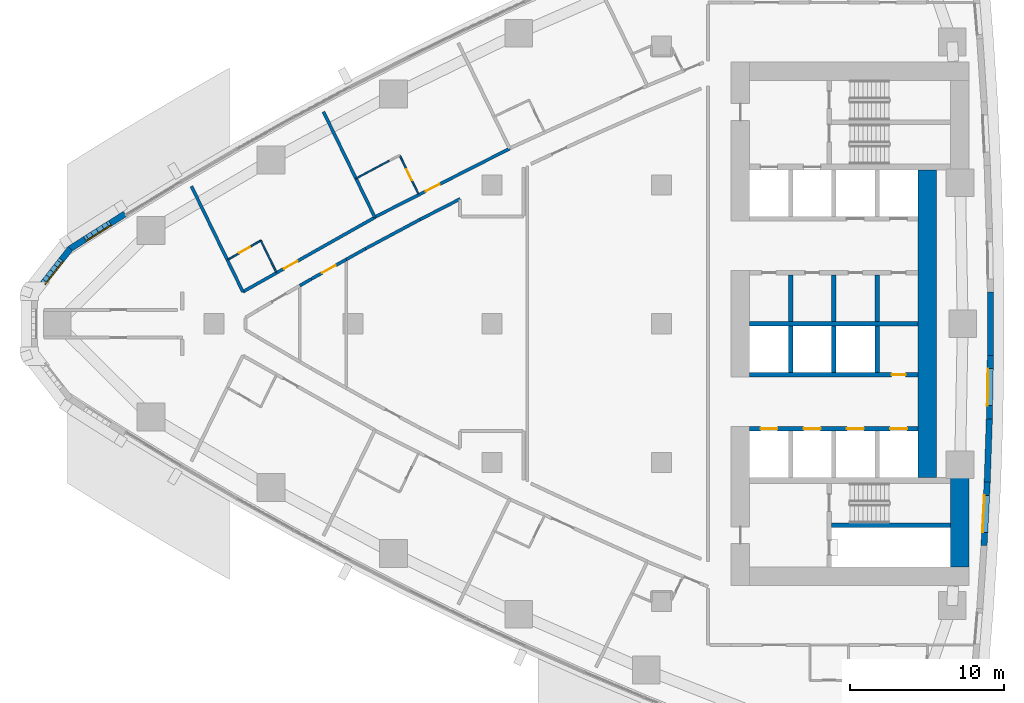
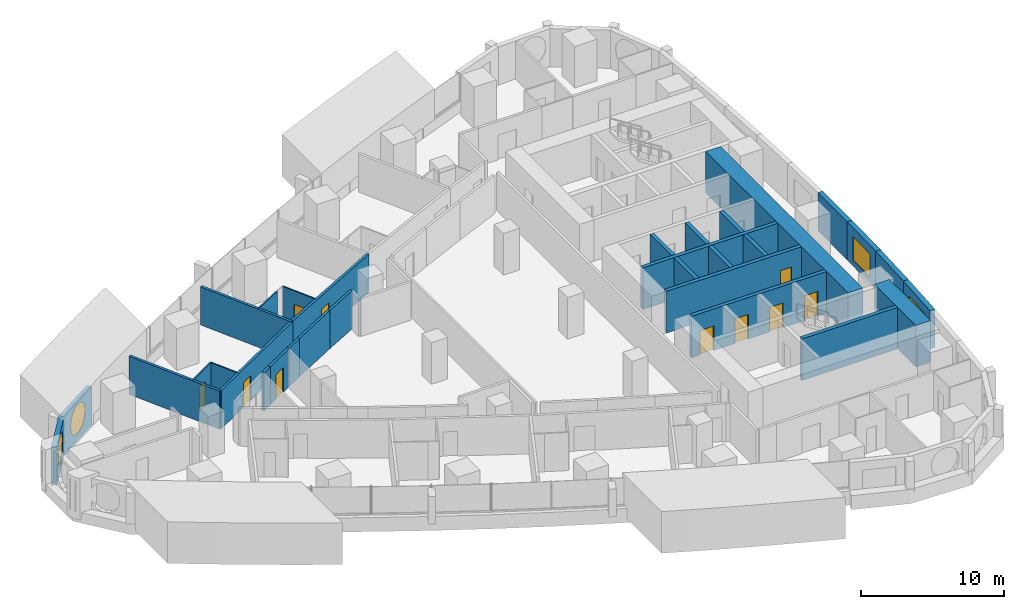
# One storey, part 11 of 19: 31 walls, 10 doors, 4 windows, 14 openings.
"""IFC4 building model written with IfcOpenShell, lengths in metres."""

from ifc_helpers import new_model, si_unit, direction, frame, frame_2d, origin, place, context, subcontext, project, spatial, polyline, rectangle, outline, extrude, material, layer, layer_set, type_object, element, fill, save


model = new_model("IFC4")

# Units and contexts
model_context = context("Model", 3, precision=1e-05, world=origin(), true_north=direction((0.0, 1.0)))
body_context = subcontext(model_context, "Body", "Model", "MODEL_VIEW")
ifc_project = project(units=[si_unit("LENGTHUNIT", "METRE"), si_unit("AREAUNIT", "SQUARE_METRE"), si_unit("VOLUMEUNIT", "CUBIC_METRE"), si_unit("PLANEANGLEUNIT", "RADIAN"), si_unit("MASSUNIT", "GRAM", prefix="KILO")], contexts=[model_context])

# Site, building, storey
site_placement = place(None, origin())
site = spatial("IfcSite", under=ifc_project, at=site_placement, CompositionType="ELEMENT")
building_placement = place(site_placement, origin())
building = spatial("IfcBuilding", under=site, at=building_placement, Name="Ostrand Prow Hotel Tower", CompositionType="ELEMENT")
storey_placement = place(building_placement, frame((0.0, 0.0, 64.449951171875)))
storey = spatial("IfcBuildingStorey", under=building, at=storey_placement, Name="L14", CompositionType="ELEMENT", Elevation=64.449951171875)

# Walls
ifc_material_1 = material(Name="Concrete C80/95", Category="concrete")
ifc_layer_1 = layer(ifc_material_1, 1.199951171875)
ifc_layer_set_1 = layer_set([ifc_layer_1], Name="Concrete C80/95")
wall_type_1 = type_object("IfcWallType", Name="Core wall 1200 C80/95", PredefinedType="SHEAR", material=ifc_layer_set_1)
wall_1_placement = place(storey_placement, frame((64.320068359375, -15.75, 0.0), z_axis=(0.0, 0.0, 1.0), x_axis=(0.0, 1.0, 0.0)))
element("IfcWall", 1, at=wall_1_placement, inside=storey, type_object=wall_type_1, Name="Core wall CW-E-S", PredefinedType="SHEAR", context=body_context, shape_type="SweptSolid", body=[
    extrude(rectangle(XDim=5.800048828125, YDim=1.199951171875, at=frame_2d((2.89990234375, 0.0))), origin(), (0.0, 0.0, 1.0), 3.550048828125),
])
wall_2_placement = place(storey_placement, frame((62.199951171875, -9.949951171875, 0.0), z_axis=(0.0, 0.0, 1.0), x_axis=(0.0, 1.0, 0.0)))
element("IfcWall", 2, at=wall_2_placement, inside=storey, type_object=wall_type_1, Name="Core wall CW-E-C", PredefinedType="SHEAR", context=body_context, shape_type="SweptSolid", body=[
    extrude(rectangle(XDim=19.89990234375, YDim=1.199951171875, at=frame_2d((9.949951171875, 0.0))), origin(), (0.0, 0.0, 1.0), 3.550048828125),
])
ifc_material_2 = material(Name="Concrete C80/95", Category="concrete")
ifc_layer_2 = layer(ifc_material_2, 0.300048828125)
ifc_layer_set_2 = layer_set([ifc_layer_2], Name="Concrete C80/95")
wall_type_2 = type_object("IfcWallType", Name="Core wall 300 C80/95", PredefinedType="SHEAR", material=ifc_layer_set_2)
wall_3_placement = place(storey_placement, frame((50.699951171875, 0.0, 0.0), z_axis=(0.0, 0.0, 1.0), x_axis=(1.0, 0.0, 0.0)))
element("IfcWall", 3, at=wall_3_placement, inside=storey, type_object=wall_type_2, Name="Core wall PW-C", PredefinedType="SHEAR", context=body_context, shape_type="SweptSolid", body=[
    extrude(rectangle(XDim=10.900146484375, YDim=0.300048828125, at=frame_2d((5.4501953125, 0.0))), origin(), (0.0, 0.0, 1.0), 3.550048828125),
])
for number, where, z_axis, x_axis, name in (
    (4, (53.35009765625, 0.14990234375, 0.0), (0.0, 0.0, 1.0), (0.0, 1.0, 0.0), "Core wall PW-R1-NB"),
    (5, (56.14990234375, 0.14990234375, 0.0), (0.0, 0.0, 1.0), (0.0, 1.0, 0.0), "Core wall PW-R2-NB"),
    (6, (58.949951171875, 0.14990234375, 0.0), (0.0, 0.0, 1.0), (0.0, 1.0, 0.0), "Core wall PW-R3-NB"),
):
    element("IfcWall", number, at=place(storey_placement, frame(where, z_axis=z_axis, x_axis=x_axis)), inside=storey, type_object=wall_type_2, Name=name, PredefinedType="SHEAR", context=body_context, shape_type="SweptSolid", body=[
        extrude(rectangle(XDim=3.0, YDim=0.300048828125, at=frame_2d((1.5, 0.0))), origin(), (0.0, 0.0, 1.0), 3.550048828125),
    ])

# Wall, opening, door
wall_4_placement = place(storey_placement, frame((50.699951171875, -3.300048828125, 0.0), z_axis=(0.0, 0.0, 1.0), x_axis=(1.0, 0.0, 0.0)))
wall_4 = element("IfcWall", 7, at=wall_4_placement, inside=storey, type_object=wall_type_2, Name="Core wall PW-L1-S", PredefinedType="SHEAR", context=body_context, shape_type="SweptSolid", body=[
    extrude(rectangle(XDim=10.900146484375, YDim=0.300048828125, at=frame_2d((5.4501953125, 0.0))), origin(), (0.0, 0.0, 1.0), 3.550048828125),
])
opening_1_placement = place(wall_4_placement, frame((9.199951171875, 0.0, 0.0)))
opening_1 = element("IfcOpeningElement", 8, at=opening_1_placement, cuts=wall_4, Name="Opening FD2", PredefinedType="OPENING", context=body_context, shape_type="SweptSolid", body=[
    extrude(rectangle(XDim=0.89990234375, YDim=2.10009765625, at=frame_2d((0.449951171875, 1.050048828125))), frame((0.0, 0.159912109375, 0.0), z_axis=(0.0, -1.0, 0.0), x_axis=(1.0, 0.0, 0.0)), (0.0, 0.0, 1.0), 0.320068359375),
])
ifc_material_3 = material(Name="Steel fire door", Category="steel")
door_type_1 = type_object("IfcDoorType", Name="Fire door 900 EI120", OperationType="SINGLE_SWING_LEFT", PredefinedType="DOOR", material=ifc_material_3)
door_1_placement = place(opening_1_placement, origin())
door_1 = element("IfcDoor", 9, at=door_1_placement, inside=storey, type_object=door_type_1, Name="DOOR", OperationType="SINGLE_SWING_LEFT", OverallHeight=2.10009765625, OverallWidth=0.89990234375, PredefinedType="DOOR", context=body_context, shape_type="SweptSolid", body=[
    extrude(rectangle(XDim=0.89990234375, YDim=2.10009765625, at=frame_2d((0.449951171875, 1.050048828125))), frame((0.0, 0.02490234375, 0.0), z_axis=(0.0, -1.0, 0.0), x_axis=(1.0, 0.0, 0.0)), (0.0, 0.0, 1.0), 0.050048828125),
])
fill(opening_1, door_1)

# Wall, openings, doors
wall_5_placement = place(storey_placement, frame((50.699951171875, -6.800048828125, 0.0), z_axis=(0.0, 0.0, 1.0), x_axis=(1.0, 0.0, 0.0)))
wall_5 = element("IfcWall", 10, at=wall_5_placement, inside=storey, type_object=wall_type_2, Name="Core wall PW-L2-S", PredefinedType="SHEAR", context=body_context, shape_type="SweptSolid", body=[
    extrude(rectangle(XDim=10.900146484375, YDim=0.300048828125, at=frame_2d((5.4501953125, 0.0))), origin(), (0.0, 0.0, 1.0), 3.550048828125),
])
opening_2_placement = place(wall_5_placement, frame((0.699951171875, 0.0, 0.0)))
opening_2 = element("IfcOpeningElement", 11, at=opening_2_placement, cuts=wall_5, Name="Opening LD", PredefinedType="OPENING", context=body_context, shape_type="SweptSolid", body=[
    extrude(rectangle(XDim=1.10009765625, YDim=2.10009765625, at=frame_2d((0.550048828125, 1.050048828125))), frame((0.0, 0.159912109375, 0.0), z_axis=(0.0, -1.0, 0.0), x_axis=(1.0, 0.0, 0.0)), (0.0, 0.0, 1.0), 0.320068359375),
])
opening_3_placement = place(wall_5_placement, frame((3.5, 0.0, 0.0)))
opening_3 = element("IfcOpeningElement", 12, at=opening_3_placement, cuts=wall_5, Name="Opening LD", PredefinedType="OPENING", context=body_context, shape_type="SweptSolid", body=[
    extrude(rectangle(XDim=1.10009765625, YDim=2.10009765625, at=frame_2d((0.550048828125, 1.050048828125))), frame((0.0, 0.159912109375, 0.0), z_axis=(0.0, -1.0, 0.0), x_axis=(1.0, 0.0, 0.0)), (0.0, 0.0, 1.0), 0.320068359375),
])
opening_4_placement = place(wall_5_placement, frame((6.300048828125, 0.0, 0.0)))
opening_4 = element("IfcOpeningElement", 13, at=opening_4_placement, cuts=wall_5, Name="Opening LD", PredefinedType="OPENING", context=body_context, shape_type="SweptSolid", body=[
    extrude(rectangle(XDim=1.10009765625, YDim=2.10009765625, at=frame_2d((0.550048828125, 1.050048828125))), frame((0.0, 0.159912109375, 0.0), z_axis=(0.0, -1.0, 0.0), x_axis=(1.0, 0.0, 0.0)), (0.0, 0.0, 1.0), 0.320068359375),
])
opening_5_placement = place(wall_5_placement, frame((9.10009765625, 0.0, 0.0)))
opening_5 = element("IfcOpeningElement", 14, at=opening_5_placement, cuts=wall_5, Name="Opening LD", PredefinedType="OPENING", context=body_context, shape_type="SweptSolid", body=[
    extrude(rectangle(XDim=1.10009765625, YDim=2.10009765625, at=frame_2d((0.550048828125, 1.050048828125))), frame((0.0, 0.159912109375, 0.0), z_axis=(0.0, -1.0, 0.0), x_axis=(1.0, 0.0, 0.0)), (0.0, 0.0, 1.0), 0.320068359375),
])
ifc_material_4 = material(Name="Stainless steel door", Category="steel")
door_type_2 = type_object("IfcDoorType", Name="Lift landing door 1100", OperationType="DOUBLE_DOOR_SLIDING", PredefinedType="DOOR", material=ifc_material_4)
door_2_placement = place(opening_2_placement, origin())
door_2 = element("IfcDoor", 15, at=door_2_placement, inside=storey, type_object=door_type_2, Name="LIFT LANDING DOOR", OperationType="DOUBLE_DOOR_SLIDING", OverallHeight=2.10009765625, OverallWidth=1.10009765625, PredefinedType="DOOR", context=body_context, shape_type="SweptSolid", body=[
    extrude(rectangle(XDim=1.10009765625, YDim=2.10009765625, at=frame_2d((0.550048828125, 1.050048828125))), frame((0.0, 0.02490234375, 0.0), z_axis=(0.0, -1.0, 0.0), x_axis=(1.0, 0.0, 0.0)), (0.0, 0.0, 1.0), 0.050048828125),
])
fill(opening_2, door_2)
door_3_placement = place(opening_3_placement, origin())
door_3 = element("IfcDoor", 16, at=door_3_placement, inside=storey, type_object=door_type_2, Name="LIFT LANDING DOOR", OperationType="DOUBLE_DOOR_SLIDING", OverallHeight=2.10009765625, OverallWidth=1.10009765625, PredefinedType="DOOR", context=body_context, shape_type="SweptSolid", body=[
    extrude(rectangle(XDim=1.10009765625, YDim=2.10009765625, at=frame_2d((0.550048828125, 1.050048828125))), frame((0.0, 0.02490234375, 0.0), z_axis=(0.0, -1.0, 0.0), x_axis=(1.0, 0.0, 0.0)), (0.0, 0.0, 1.0), 0.050048828125),
])
fill(opening_3, door_3)
door_4_placement = place(opening_4_placement, origin())
door_4 = element("IfcDoor", 17, at=door_4_placement, inside=storey, type_object=door_type_2, Name="LIFT LANDING DOOR", OperationType="DOUBLE_DOOR_SLIDING", OverallHeight=2.10009765625, OverallWidth=1.10009765625, PredefinedType="DOOR", context=body_context, shape_type="SweptSolid", body=[
    extrude(rectangle(XDim=1.10009765625, YDim=2.10009765625, at=frame_2d((0.550048828125, 1.050048828125))), frame((0.0, 0.02490234375, 0.0), z_axis=(0.0, -1.0, 0.0), x_axis=(1.0, 0.0, 0.0)), (0.0, 0.0, 1.0), 0.050048828125),
])
fill(opening_4, door_4)
door_5_placement = place(opening_5_placement, origin())
door_5 = element("IfcDoor", 18, at=door_5_placement, inside=storey, type_object=door_type_2, Name="LIFT LANDING DOOR", OperationType="DOUBLE_DOOR_SLIDING", OverallHeight=2.10009765625, OverallWidth=1.10009765625, PredefinedType="DOOR", context=body_context, shape_type="SweptSolid", body=[
    extrude(rectangle(XDim=1.10009765625, YDim=2.10009765625, at=frame_2d((0.550048828125, 1.050048828125))), frame((0.0, 0.02490234375, 0.0), z_axis=(0.0, -1.0, 0.0), x_axis=(1.0, 0.0, 0.0)), (0.0, 0.0, 1.0), 0.050048828125),
])
fill(opening_5, door_5)

# Walls
for number, where, z_axis, x_axis, name in (
    (19, (53.35009765625, -3.14990234375, 0.0), (0.0, 0.0, 1.0), (0.0, 1.0, 0.0), "Core wall PW-R1-SB"),
    (20, (56.14990234375, -3.14990234375, 0.0), (0.0, 0.0, 1.0), (0.0, 1.0, 0.0), "Core wall PW-R2-SB"),
    (21, (58.949951171875, -3.14990234375, 0.0), (0.0, 0.0, 1.0), (0.0, 1.0, 0.0), "Core wall PW-R3-SB"),
):
    element("IfcWall", number, at=place(storey_placement, frame(where, z_axis=z_axis, x_axis=x_axis)), inside=storey, type_object=wall_type_2, Name=name, PredefinedType="SHEAR", context=body_context, shape_type="SweptSolid", body=[
        extrude(rectangle(XDim=3.0, YDim=0.300048828125, at=frame_2d((1.5, 0.0))), origin(), (0.0, 0.0, 1.0), 3.550048828125),
    ])
wall_6_placement = place(storey_placement, frame((56.0, -13.050048828125, 0.0), z_axis=(0.0, 0.0, 1.0), x_axis=(1.0, 0.0, 0.0)))
element("IfcWall", 22, at=wall_6_placement, inside=storey, type_object=wall_type_2, Name="Core wall PW-ST2R", PredefinedType="SHEAR", context=body_context, shape_type="SweptSolid", body=[
    extrude(rectangle(XDim=7.719970703125, YDim=0.300048828125, at=frame_2d((3.85986328125, 0.0))), origin(), (0.0, 0.0, 1.0), 3.550048828125),
])

# Wall, opening, door
ifc_material_5 = material(Name="Plasterboard partition")
ifc_layer_3 = layer(ifc_material_5, 0.10009765625)
ifc_layer_set_3 = layer_set([ifc_layer_3], Name="Plasterboard partition")
wall_type_3 = type_object("IfcWallType", Name="Partition 100 bathroom wall", PredefinedType="PARTITIONING", material=ifc_layer_set_3)
wall_7_placement = place(storey_placement, frame((16.898193359375, 4.1435546875, 0.0), z_axis=(0.0, 0.0, 1.0), x_axis=(0.863707305865, 0.503993739837, 0.0)))
wall_7 = element("IfcWall", 23, at=wall_7_placement, inside=storey, type_object=wall_type_3, Name="BATHROOM WALL", PredefinedType="PARTITIONING", context=body_context, shape_type="SweptSolid", body=[
    extrude(rectangle(XDim=2.473876953125, YDim=0.10009765625, at=frame_2d((1.23681640625, 0.0))), origin(), (0.0, 0.0, 1.0), 3.25),
])
opening_6_placement = place(wall_7_placement, frame((0.85009765625, 0.0, 0.0)))
opening_6 = element("IfcOpeningElement", 24, at=opening_6_placement, cuts=wall_7, Name="Opening D2", PredefinedType="OPENING", context=body_context, shape_type="SweptSolid", body=[
    extrude(rectangle(XDim=0.800048828125, YDim=2.10009765625, at=frame_2d((0.39990234375, 1.050048828125))), frame((0.0, 0.06005859375, 0.0), z_axis=(0.0, -1.0, 0.0), x_axis=(1.0, 0.0, 0.0)), (0.0, 0.0, 1.0), 0.1201171875),
])
ifc_material_6 = material(Name="Timber door leaf", Category="wood")
door_type_3 = type_object("IfcDoorType", Name="Bathroom door 800", OperationType="SINGLE_SWING_LEFT", PredefinedType="DOOR", material=ifc_material_6)
door_6_placement = place(opening_6_placement, origin())
door_6 = element("IfcDoor", 25, at=door_6_placement, inside=storey, type_object=door_type_3, Name="DOOR", OperationType="SINGLE_SWING_LEFT", OverallHeight=2.10009765625, OverallWidth=0.800048828125, PredefinedType="DOOR", context=body_context, shape_type="SweptSolid", body=[
    extrude(rectangle(XDim=0.800048828125, YDim=2.10009765625, at=frame_2d((0.39990234375, 1.050048828125))), frame((0.0, 0.02490234375, 0.0), z_axis=(0.0, -1.0, 0.0), x_axis=(1.0, 0.0, 0.0)), (0.0, 0.0, 1.0), 0.050048828125),
])
fill(opening_6, door_6)

# Walls
wall_8_placement = place(storey_placement, frame((19.03515625, 5.390380859375, 0.0), z_axis=(0.0, 0.0, 1.0), x_axis=(0.438122322582, -0.898915363344, 0.0)))
element("IfcWall", 26, at=wall_8_placement, inside=storey, type_object=wall_type_3, Name="BATHROOM WALL", PredefinedType="PARTITIONING", context=body_context, shape_type="SweptSolid", body=[
    extrude(rectangle(XDim=2.282958984375, YDim=0.10009765625, at=frame_2d((1.1416015625, 0.0))), origin(), (0.0, 0.0, 1.0), 3.25),
])
wall_9_placement = place(storey_placement, frame((25.197509765625, 9.40869140625, 0.0), z_axis=(0.0, 0.0, 1.0), x_axis=(0.881658684569, 0.471887660279, 0.0)))
element("IfcWall", 27, at=wall_9_placement, inside=storey, type_object=wall_type_3, Name="BATHROOM WALL", PredefinedType="PARTITIONING", context=body_context, shape_type="SweptSolid", body=[
    extrude(rectangle(XDim=2.45654296875, YDim=0.10009765625, at=frame_2d((1.228271484375, 0.0))), origin(), (0.0, 0.0, 1.0), 3.25),
])

# Wall, opening, door
wall_10_placement = place(storey_placement, frame((28.02685546875, 10.907470703125, 0.0), z_axis=(0.0, 0.0, 1.0), x_axis=(0.438189818179, -0.898882463531, 0.0)))
wall_10 = element("IfcWall", 28, at=wall_10_placement, inside=storey, type_object=wall_type_3, Name="BATHROOM WALL", PredefinedType="PARTITIONING", context=body_context, shape_type="SweptSolid", body=[
    extrude(rectangle(XDim=2.77734375, YDim=0.10009765625, at=frame_2d((1.388671875, 0.0))), origin(), (0.0, 0.0, 1.0), 3.25),
])
opening_7_placement = place(wall_10_placement, frame((1.0, 0.0, 0.0)))
opening_7 = element("IfcOpeningElement", 29, at=opening_7_placement, cuts=wall_10, Name="Opening D2", PredefinedType="OPENING", context=body_context, shape_type="SweptSolid", body=[
    extrude(rectangle(XDim=0.800048828125, YDim=2.10009765625, at=frame_2d((0.39990234375, 1.050048828125))), frame((0.0, 0.06005859375, 0.0), z_axis=(0.0, -1.0, 0.0), x_axis=(1.0, 0.0, 0.0)), (0.0, 0.0, 1.0), 0.1201171875),
])
door_7_placement = place(opening_7_placement, origin())
door_7 = element("IfcDoor", 30, at=door_7_placement, inside=storey, type_object=door_type_3, Name="DOOR", OperationType="SINGLE_SWING_LEFT", OverallHeight=2.10009765625, OverallWidth=0.800048828125, PredefinedType="DOOR", context=body_context, shape_type="SweptSolid", body=[
    extrude(rectangle(XDim=0.800048828125, YDim=2.10009765625, at=frame_2d((0.39990234375, 1.050048828125))), frame((0.0, 0.02490234375, 0.0), z_axis=(0.0, -1.0, 0.0), x_axis=(1.0, 0.0, 0.0)), (0.0, 0.0, 1.0), 0.050048828125),
])
fill(opening_7, door_7)

ifc_material_7 = material(Name="Plasterboard partition")
ifc_layer_4 = layer(ifc_material_7, 0.199951171875)
ifc_layer_set_4 = layer_set([ifc_layer_4], Name="Plasterboard partition")
wall_type_4 = type_object("IfcWallType", Name="Partition 200 corridor wall", PredefinedType="PARTITIONING", material=ifc_layer_set_4)
wall_11_placement = place(storey_placement, frame((17.87353515625, 2.068115234375, 0.0), z_axis=(0.0, 0.0, 1.0), x_axis=(0.871078318876, 0.491144136057, 0.0)))
wall_11 = element("IfcWall", 31, at=wall_11_placement, inside=storey, type_object=wall_type_4, Name="CORRIDOR WALL", PredefinedType="PARTITIONING", context=body_context, shape_type="SweptSolid", body=[
    extrude(rectangle(XDim=9.8173828125, YDim=0.199951171875, at=frame_2d((4.90869140625, 0.0))), origin(), (0.0, 0.0, 1.0), 3.25),
])
opening_8_placement = place(wall_11_placement, frame((3.050048828125, 0.0, 0.0)))
opening_8 = element("IfcOpeningElement", 32, at=opening_8_placement, cuts=wall_11, Name="Opening D1R", PredefinedType="OPENING", context=body_context, shape_type="SweptSolid", body=[
    extrude(rectangle(XDim=1.0, YDim=2.10009765625, at=frame_2d((0.5, 1.050048828125))), frame((0.0, 0.10986328125, 0.0), z_axis=(0.0, -1.0, 0.0), x_axis=(1.0, 0.0, 0.0)), (0.0, 0.0, 1.0), 0.219970703125),
])
ifc_material_8 = material(Name="Timber door leaf", Category="wood")
door_type_4 = type_object("IfcDoorType", Name="Guest room door 1000 right", OperationType="SINGLE_SWING_RIGHT", PredefinedType="DOOR", material=ifc_material_8)
door_8_placement = place(opening_8_placement, origin())
door_8 = element("IfcDoor", 33, at=door_8_placement, inside=storey, type_object=door_type_4, Name="DOOR", OperationType="SINGLE_SWING_RIGHT", OverallHeight=2.10009765625, OverallWidth=1.0, PredefinedType="DOOR", context=body_context, shape_type="SweptSolid", body=[
    extrude(rectangle(XDim=1.0, YDim=2.10009765625, at=frame_2d((0.5, 1.050048828125))), frame((0.0, 0.02490234375, 0.0), z_axis=(0.0, -1.0, 0.0), x_axis=(1.0, 0.0, 0.0)), (0.0, 0.0, 1.0), 0.050048828125),
])
fill(opening_8, door_8)

wall_12_placement = place(storey_placement, frame((26.41650390625, 6.907958984375, 0.0), z_axis=(0.0, 0.0, 1.0), x_axis=(0.891700643128, 0.452625632334, 0.0)))
wall_12 = element("IfcWall", 34, at=wall_12_placement, inside=storey, type_object=wall_type_4, Name="CORRIDOR WALL", PredefinedType="PARTITIONING", context=body_context, shape_type="SweptSolid", body=[
    extrude(rectangle(XDim=9.80126953125, YDim=0.199951171875, at=frame_2d((4.900634765625, 0.0))), origin(), (0.0, 0.0, 1.0), 3.25),
])
opening_9_placement = place(wall_12_placement, frame((3.699951171875, 0.0, 0.0)))
opening_9 = element("IfcOpeningElement", 35, at=opening_9_placement, cuts=wall_12, Name="Opening D1R", PredefinedType="OPENING", context=body_context, shape_type="SweptSolid", body=[
    extrude(rectangle(XDim=1.0, YDim=2.10009765625, at=frame_2d((0.5, 1.050048828125))), frame((0.0, 0.10986328125, 0.0), z_axis=(0.0, -1.0, 0.0), x_axis=(1.0, 0.0, 0.0)), (0.0, 0.0, 1.0), 0.219970703125),
])
door_9_placement = place(opening_9_placement, origin())
door_9 = element("IfcDoor", 36, at=door_9_placement, inside=storey, type_object=door_type_4, Name="DOOR", OperationType="SINGLE_SWING_RIGHT", OverallHeight=2.10009765625, OverallWidth=1.0, PredefinedType="DOOR", context=body_context, shape_type="SweptSolid", body=[
    extrude(rectangle(XDim=1.0, YDim=2.10009765625, at=frame_2d((0.5, 1.050048828125))), frame((0.0, 0.02490234375, 0.0), z_axis=(0.0, -1.0, 0.0), x_axis=(1.0, 0.0, 0.0)), (0.0, 0.0, 1.0), 0.050048828125),
])
fill(opening_9, door_9)

wall_13_placement = place(storey_placement, frame((22.31201171875, 2.903076171875, 0.0), z_axis=(0.0, 0.0, 1.0), x_axis=(0.872797752414, 0.488082045748, 0.0)))
wall_13 = element("IfcWall", 37, at=wall_13_placement, inside=storey, type_object=wall_type_4, Name="CORRIDOR WALL", PredefinedType="PARTITIONING", context=body_context, shape_type="SweptSolid", body=[
    extrude(rectangle(XDim=2.58154296875, YDim=0.199951171875, at=frame_2d((1.290771484375, 0.0))), origin(), (0.0, 0.0, 1.0), 3.25),
])
opening_10_placement = place(wall_13_placement, frame((0.790771484375, 0.0, 0.0)))
opening_10 = element("IfcOpeningElement", 38, at=opening_10_placement, cuts=wall_13, Name="Opening D1R", PredefinedType="OPENING", context=body_context, shape_type="SweptSolid", body=[
    extrude(rectangle(XDim=1.0, YDim=2.10009765625, at=frame_2d((0.5, 1.050048828125))), frame((0.0, 0.10986328125, 0.0), z_axis=(0.0, -1.0, 0.0), x_axis=(1.0, 0.0, 0.0)), (0.0, 0.0, 1.0), 0.219970703125),
])
door_10_placement = place(opening_10_placement, origin())
door_10 = element("IfcDoor", 39, at=door_10_placement, inside=storey, type_object=door_type_4, Name="DOOR", OperationType="SINGLE_SWING_RIGHT", OverallHeight=2.10009765625, OverallWidth=1.0, PredefinedType="DOOR", context=body_context, shape_type="SweptSolid", body=[
    extrude(rectangle(XDim=1.0, YDim=2.10009765625, at=frame_2d((0.5, 1.050048828125))), frame((0.0, 0.02490234375, 0.0), z_axis=(0.0, -1.0, 0.0), x_axis=(1.0, 0.0, 0.0)), (0.0, 0.0, 1.0), 0.050048828125),
])
fill(opening_10, door_10)

# Walls
wall_14_placement = place(storey_placement, frame((21.565185546875, 2.46728515625, 0.0), z_axis=(0.0, 0.0, 1.0), x_axis=(0.863707207562, 0.503993908303, 0.0)))
element("IfcWall", 40, at=wall_14_placement, inside=storey, type_object=wall_type_4, Name="CORRIDOR WALL", PredefinedType="PARTITIONING", context=body_context, shape_type="SweptSolid", body=[
    extrude(rectangle(XDim=0.86474609375, YDim=0.199951171875, at=frame_2d((0.432373046875, 0.0))), origin(), (0.0, 0.0, 1.0), 3.25),
])
wall_15_placement = place(storey_placement, frame((29.357421875, 6.758056640625, 0.0), z_axis=(0.0, 0.0, 1.0), x_axis=(0.890213377055, 0.455543788579, 0.0)))
element("IfcWall", 41, at=wall_15_placement, inside=storey, type_object=wall_type_4, Name="CORRIDOR WALL", PredefinedType="PARTITIONING", context=body_context, shape_type="SweptSolid", body=[
    extrude(rectangle(XDim=2.912353515625, YDim=0.199951171875, at=frame_2d((1.4560546875, 0.0))), origin(), (0.0, 0.0, 1.0), 3.25),
])
wall_16_placement = place(storey_placement, frame((24.565185546875, 4.1630859375, 0.0), z_axis=(0.0, 0.0, 1.0), x_axis=(0.872804855849, 0.488069343031, 0.0)))
element("IfcWall", 42, at=wall_16_placement, inside=storey, type_object=wall_type_4, Name="CORRIDOR WALL", PredefinedType="PARTITIONING", context=body_context, shape_type="SweptSolid", body=[
    extrude(rectangle(XDim=1.43408203125, YDim=0.199951171875, at=frame_2d((0.717041015625, 0.0))), origin(), (0.0, 0.0, 1.0), 3.25),
])
wall_17_placement = place(storey_placement, frame((25.81689453125, 4.863037109375, 0.0), z_axis=(0.0, 0.0, 1.0), x_axis=(0.881655245922, 0.471894084874, 0.0)))
element("IfcWall", 43, at=wall_17_placement, inside=storey, type_object=wall_type_4, Name="CORRIDOR WALL", PredefinedType="PARTITIONING", context=body_context, shape_type="SweptSolid", body=[
    extrude(rectangle(XDim=4.015869140625, YDim=0.199951171875, at=frame_2d((2.0078125, 0.0))), origin(), (0.0, 0.0, 1.0), 3.25),
])
ifc_material_9 = material(Name="Plasterboard partition")
ifc_layer_5 = layer(ifc_material_9, 0.199951171875)
ifc_layer_set_5 = layer_set([ifc_layer_5], Name="Plasterboard partition")
wall_type_5 = type_object("IfcWallType", Name="Partition 200 key partition", PredefinedType="PARTITIONING", material=ifc_layer_set_5)
wall_18_placement = place(storey_placement, frame((17.88232421875, 2.050048828125, 0.0), z_axis=(0.0, 0.0, 1.0), x_axis=(-0.438213564788, 0.898870887078, 0.0)))
element("IfcWall", 44, at=wall_18_placement, inside=storey, type_object=wall_type_5, Name="KEY PARTITION", PredefinedType="PARTITIONING", context=body_context, shape_type="SweptSolid", body=[
    extrude(rectangle(XDim=7.62548828125, YDim=0.199951171875, at=frame_2d((3.812744140625, 0.0))), origin(), (0.0, 0.0, 1.0), 3.25),
])
wall_19_placement = place(storey_placement, frame((26.42529296875, 6.889892578125, 0.0), z_axis=(0.0, 0.0, 1.0), x_axis=(-0.438202895602, 0.898876088394, 0.0)))
element("IfcWall", 45, at=wall_19_placement, inside=storey, type_object=wall_type_5, Name="KEY PARTITION", PredefinedType="PARTITIONING", context=body_context, shape_type="SweptSolid", body=[
    extrude(rectangle(XDim=7.60546875, YDim=0.199951171875, at=frame_2d((3.802734375, 0.0))), origin(), (0.0, 0.0, 1.0), 3.25),
])

# Wall, opening, window
ifc_material_10 = material(Name="Precast concrete C40/50", Category="concrete")
ifc_layer_6 = layer(ifc_material_10, 0.39990234375)
ifc_layer_set_6 = layer_set([ifc_layer_6], Name="Precast concrete C40/50")
wall_type_6 = type_object("IfcWallType", Name="Stone-faced precast wall 400 mm", PredefinedType="NOTDEFINED", material=ifc_layer_set_6)
wall_20_placement = place(storey_placement, frame((10.24169921875, 7.116455078125, 0.0), z_axis=(0.0, 0.0, 1.0), x_axis=(-0.844551578623, -0.535474211372, 0.0)))
wall_20 = element("IfcWall", 46, at=wall_20_placement, inside=storey, type_object=wall_type_6, Name="Stone-faced wall prow 1", PredefinedType="NOTDEFINED", context=body_context, shape_type="SweptSolid", body=[
    extrude(outline(polyline([(0.0, -0.199951171875), (4.23046875, -0.199951171875), (4.16162109375, 0.199951171875), (0.0, 0.199951171875), (0.0, -0.199951171875)])), origin(), (0.0, 0.0, 1.0), 3.25),
])
opening_11_placement = place(wall_20_placement, frame((0.998046875, 0.0, 0.60009765625)))
opening_11 = element("IfcOpeningElement", 47, at=opening_11_placement, cuts=wall_20, Name="Opening WP2", PredefinedType="OPENING", context=body_context, shape_type="SweptSolid", body=[
    extrude(outline(polyline([(0.0, 1.35009765625), (0.083740234375, 1.77099609375), (0.322265625, 2.127685546875), (0.678955078125, 2.3662109375), (1.10009765625, 2.449951171875), (1.52099609375, 2.3662109375), (1.877685546875, 2.127685546875), (2.1162109375, 1.77099609375), (2.199951171875, 1.35009765625), (2.199951171875, 1.10009765625), (2.1162109375, 0.678955078125), (1.877685546875, 0.322265625), (1.52099609375, 0.083740234375), (1.10009765625, 0.0), (0.678955078125, 0.083740234375), (0.322265625, 0.322265625), (0.083740234375, 0.678955078125), (0.0, 1.099853515625), (0.0, 1.35009765625)])), frame((0.0, 0.2099609375, 0.0), z_axis=(0.0, -1.0, 0.0), x_axis=(1.0, 0.0, 0.0)), (0.0, 0.0, 1.0), 0.419921875),
])
ifc_material_11 = material(Name="Insulated glass in bronze frame", Category="glass")
window_type_1 = type_object("IfcWindowType", Name="Round-ended prow lounge window 2200x2450", PartitioningType="SINGLE_PANEL", PredefinedType="WINDOW", material=ifc_material_11)
window_1_placement = place(opening_11_placement, origin())
window_1 = element("IfcWindow", 48, at=window_1_placement, inside=storey, type_object=window_type_1, Name="Window prow 1.1", OverallHeight=2.449951171875, OverallWidth=2.199951171875, PartitioningType="SINGLE_PANEL", PredefinedType="WINDOW", context=body_context, shape_type="SweptSolid", body=[
    extrude(outline(polyline([(0.0, 1.35009765625), (0.083740234375, 1.77099609375), (0.322265625, 2.127685546875), (0.678955078125, 2.3662109375), (1.10009765625, 2.449951171875), (1.52099609375, 2.3662109375), (1.877685546875, 2.127685546875), (2.1162109375, 1.77099609375), (2.199951171875, 1.35009765625), (2.199951171875, 1.10009765625), (2.1162109375, 0.678955078125), (1.877685546875, 0.322265625), (1.52099609375, 0.083740234375), (1.10009765625, 0.0), (0.678955078125, 0.083740234375), (0.322265625, 0.322265625), (0.083740234375, 0.678955078125), (0.0, 1.099853515625), (0.0, 1.35009765625)])), frame((0.0, 0.169921875, 0.0), z_axis=(0.0, -1.0, 0.0), x_axis=(1.0, 0.0, 0.0)), (0.0, 0.0, 1.0), 0.06005859375),
])
fill(opening_11, window_1)

wall_21_placement = place(storey_placement, frame((6.697998046875, 4.86962890625, 0.0), z_axis=(0.0, 0.0, 1.0), x_axis=(-0.616586647779, -0.787287054245, 0.0)))
wall_21 = element("IfcWall", 49, at=wall_21_placement, inside=storey, type_object=wall_type_6, Name="Stone-faced wall prow 2", PredefinedType="NOTDEFINED", context=body_context, shape_type="SweptSolid", body=[
    extrude(outline(polyline([(-0.034423828125, -0.199951171875), (3.85205078125, -0.199951171875), (3.7138671875, 0.199951171875), (0.034423828125, 0.199951171875), (-0.034423828125, -0.199951171875)])), origin(), (0.0, 0.0, 1.0), 3.25),
])
opening_12_placement = place(wall_21_placement, frame((0.79150390625, 0.0, 0.60009765625)))
opening_12 = element("IfcOpeningElement", 50, at=opening_12_placement, cuts=wall_21, Name="Opening WP2", PredefinedType="OPENING", context=body_context, shape_type="SweptSolid", body=[
    extrude(outline(polyline([(0.0, 1.35009765625), (0.083740234375, 1.77099609375), (0.322265625, 2.127685546875), (0.678955078125, 2.3662109375), (1.10009765625, 2.449951171875), (1.52099609375, 2.3662109375), (1.877685546875, 2.127685546875), (2.1162109375, 1.77099609375), (2.199951171875, 1.35009765625), (2.199951171875, 1.10009765625), (2.1162109375, 0.678955078125), (1.877685546875, 0.322265625), (1.52099609375, 0.083740234375), (1.10009765625, 0.0), (0.678955078125, 0.083740234375), (0.322265625, 0.322265625), (0.083740234375, 0.678955078125), (0.0, 1.099853515625), (0.0, 1.35009765625)])), frame((0.0, 0.2099609375, 0.0), z_axis=(0.0, -1.0, 0.0), x_axis=(1.0, 0.0, 0.0)), (0.0, 0.0, 1.0), 0.419921875),
])
window_2_placement = place(opening_12_placement, origin())
window_2 = element("IfcWindow", 51, at=window_2_placement, inside=storey, type_object=window_type_1, Name="Window prow 2.1", OverallHeight=2.449951171875, OverallWidth=2.199951171875, PartitioningType="SINGLE_PANEL", PredefinedType="WINDOW", context=body_context, shape_type="SweptSolid", body=[
    extrude(outline(polyline([(0.0, 1.35009765625), (0.083740234375, 1.77099609375), (0.322265625, 2.127685546875), (0.678955078125, 2.3662109375), (1.10009765625, 2.449951171875), (1.52099609375, 2.3662109375), (1.877685546875, 2.127685546875), (2.1162109375, 1.77099609375), (2.199951171875, 1.35009765625), (2.199951171875, 1.10009765625), (2.1162109375, 0.678955078125), (1.877685546875, 0.322265625), (1.52099609375, 0.083740234375), (1.10009765625, 0.0), (0.678955078125, 0.083740234375), (0.322265625, 0.322265625), (0.083740234375, 0.678955078125), (0.0, 1.099853515625), (0.0, 1.35009765625)])), frame((0.0, 0.169921875, 0.0), z_axis=(0.0, -1.0, 0.0), x_axis=(1.0, 0.0, 0.0)), (0.0, 0.0, 1.0), 0.06005859375),
])
fill(opening_12, window_2)

wall_22_placement = place(storey_placement, frame((65.878173828125, -14.359619140625, 0.0), z_axis=(0.0, 0.0, 1.0), x_axis=(0.050314326423, 0.998733432181, 0.0)))
wall_22 = element("IfcWall", 52, at=wall_22_placement, inside=storey, type_object=wall_type_6, Name="Stone-faced wall back 7", PredefinedType="NOTDEFINED", context=body_context, shape_type="SweptSolid", body=[
    extrude(outline(polyline([(-0.001708984375, -0.199951171875), (4.106689453125, -0.199951171875), (4.103271484375, 0.199951171875), (0.001708984375, 0.199951171875), (-0.001708984375, -0.199951171875)])), origin(), (0.0, 0.0, 1.0), 3.25),
])
opening_13_placement = place(wall_22_placement, frame((0.8525390625, 0.0, 0.5)))
opening_13 = element("IfcOpeningElement", 53, at=opening_13_placement, cuts=wall_22, Name="Opening WA1", PredefinedType="OPENING", context=body_context, shape_type="SweptSolid", body=[
    extrude(rectangle(XDim=2.39990234375, YDim=2.0, at=frame_2d((1.199951171875, 1.0))), frame((0.0, 0.2099609375, 0.0), z_axis=(0.0, -1.0, 0.0), x_axis=(1.0, 0.0, 0.0)), (0.0, 0.0, 1.0), 0.419921875),
])
ifc_material_12 = material(Name="Insulated glass in bronze frame", Category="glass")
window_type_2 = type_object("IfcWindowType", Name="Amenity picture window 2400x2000", PartitioningType="SINGLE_PANEL", PredefinedType="WINDOW", material=ifc_material_12)
window_3_placement = place(opening_13_placement, origin())
window_3 = element("IfcWindow", 54, at=window_3_placement, inside=storey, type_object=window_type_2, Name="Window back 7.1", OverallHeight=2.0, OverallWidth=2.39990234375, PartitioningType="SINGLE_PANEL", PredefinedType="WINDOW", context=body_context, shape_type="SweptSolid", body=[
    extrude(rectangle(XDim=2.39990234375, YDim=2.0, at=frame_2d((1.199951171875, 1.0))), frame((0.0, 0.169921875, 0.0), z_axis=(0.0, -1.0, 0.0), x_axis=(1.0, 0.0, 0.0)), (0.0, 0.0, 1.0), 0.06005859375),
])
fill(opening_13, window_3)

# Wall
wall_23_placement = place(storey_placement, frame((66.084716796875, -10.259765625, 0.0), z_axis=(0.0, 0.0, 1.0), x_axis=(0.033542554696, 0.999437290191, 0.0)))
element("IfcWall", 55, at=wall_23_placement, inside=storey, type_object=wall_type_6, Name="Stone-faced wall back 8", PredefinedType="NOTDEFINED", context=body_context, shape_type="SweptSolid", body=[
    extrude(outline(polyline([(-0.001708984375, -0.199951171875), (4.106689453125, -0.199951171875), (4.103271484375, 0.199951171875), (0.001708984375, 0.199951171875), (-0.001708984375, -0.199951171875)])), origin(), (0.0, 0.0, 1.0), 3.25),
])

# Wall, opening, window
wall_24_placement = place(storey_placement, frame((66.222412109375, -6.156982421875, 0.0), z_axis=(0.0, 0.0, 1.0), x_axis=(0.016830829972, 0.999858351549, 0.0)))
wall_24 = element("IfcWall", 56, at=wall_24_placement, inside=storey, type_object=wall_type_6, Name="Stone-faced wall back 9", PredefinedType="NOTDEFINED", context=body_context, shape_type="SweptSolid", body=[
    extrude(outline(polyline([(-0.001708984375, -0.199951171875), (4.106689453125, -0.199951171875), (4.103271484375, 0.199951171875), (0.001708984375, 0.199951171875), (-0.001708984375, -0.199951171875)])), origin(), (0.0, 0.0, 1.0), 3.25),
])
opening_14_placement = place(wall_24_placement, frame((0.8525390625, 0.0, 0.5)))
opening_14 = element("IfcOpeningElement", 57, at=opening_14_placement, cuts=wall_24, Name="Opening WA1", PredefinedType="OPENING", context=body_context, shape_type="SweptSolid", body=[
    extrude(rectangle(XDim=2.39990234375, YDim=2.0, at=frame_2d((1.199951171875, 1.0))), frame((0.0, 0.2099609375, 0.0), z_axis=(0.0, -1.0, 0.0), x_axis=(1.0, 0.0, 0.0)), (0.0, 0.0, 1.0), 0.419921875),
])
window_4_placement = place(opening_14_placement, origin())
window_4 = element("IfcWindow", 58, at=window_4_placement, inside=storey, type_object=window_type_2, Name="Window back 9.1", OverallHeight=2.0, OverallWidth=2.39990234375, PartitioningType="SINGLE_PANEL", PredefinedType="WINDOW", context=body_context, shape_type="SweptSolid", body=[
    extrude(rectangle(XDim=2.39990234375, YDim=2.0, at=frame_2d((1.199951171875, 1.0))), frame((0.0, 0.169921875, 0.0), z_axis=(0.0, -1.0, 0.0), x_axis=(1.0, 0.0, 0.0)), (0.0, 0.0, 1.0), 0.06005859375),
])
fill(opening_14, window_4)

# Wall
wall_25_placement = place(storey_placement, frame((66.29150390625, -2.052490234375, 0.0), z_axis=(0.0, 0.0, 1.0), x_axis=(0.0, 1.0, 0.0)))
element("IfcWall", 59, at=wall_25_placement, inside=storey, type_object=wall_type_6, Name="Stone-faced wall back 10", PredefinedType="NOTDEFINED", context=body_context, shape_type="SweptSolid", body=[
    extrude(outline(polyline([(-0.001708984375, -0.199951171875), (4.106689453125, -0.199951171875), (4.103271484375, 0.199951171875), (0.001708984375, 0.199951171875), (-0.001708984375, -0.199951171875)])), origin(), (0.0, 0.0, 1.0), 3.25),
])

save(model, "model.ifc")
